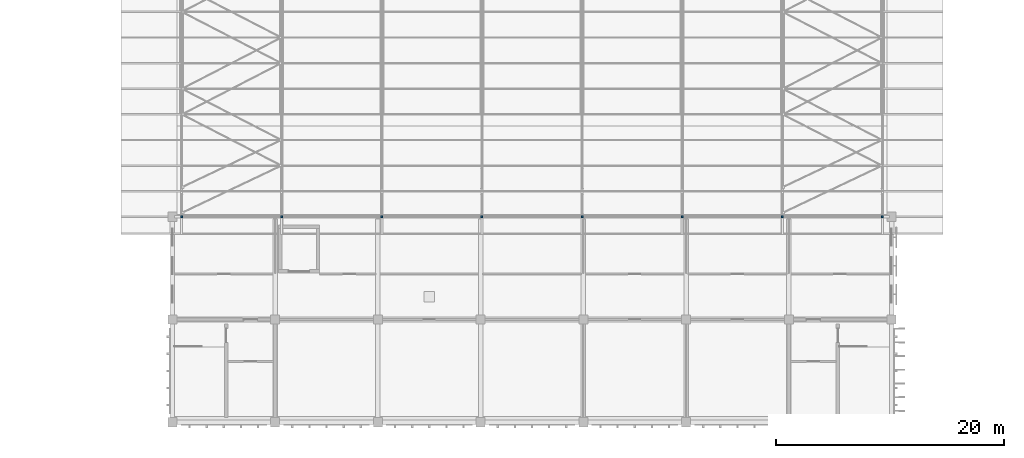
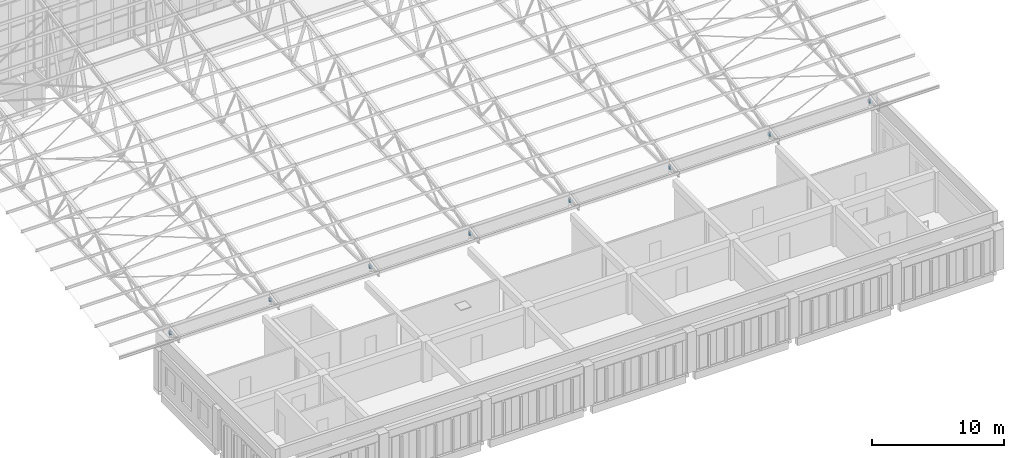
# One storey, part 129 of 185: 8 walls.
"""IFC4 building model written with IfcOpenShell, lengths in metres."""

from ifc_helpers import new_model, si_unit, direction, frame, frame_2d, origin, place, context, subcontext, project, spatial, rectangle, extrude, material, layer, layer_set, type_object, element, save


model = new_model("IFC4")

# Units and contexts
model_context = context("Model", 3, precision=1e-05, world=origin(), true_north=direction((0.0, 1.0)))
body_context = subcontext(model_context, "Body", "Model", "MODEL_VIEW")
ifc_project = project(units=[si_unit("LENGTHUNIT", "METRE"), si_unit("AREAUNIT", "SQUARE_METRE"), si_unit("VOLUMEUNIT", "CUBIC_METRE"), si_unit("PLANEANGLEUNIT", "RADIAN"), si_unit("MASSUNIT", "GRAM", prefix="KILO")], contexts=[model_context])

# Site, building, storey
site_placement = place(None, origin())
site = spatial("IfcSite", under=ifc_project, at=site_placement, CompositionType="ELEMENT")
building_placement = place(site_placement, origin())
building = spatial("IfcBuilding", under=site, at=building_placement, Name="Opaline Strait Convention Centre", CompositionType="ELEMENT")
storey_placement = place(building_placement, frame((0.0, 0.0, 6.0)))
storey = spatial("IfcBuildingStorey", under=building, at=storey_placement, Name="L01", CompositionType="ELEMENT", Elevation=6.0)

# Walls
ifc_material_1 = material(Name="Concrete C40 precast white", Category="concrete")
ifc_layer_1 = layer(ifc_material_1, 0.1201171875)
ifc_material_2 = material(Name="Mineral wool insulation")
ifc_layer_2 = layer(ifc_material_2, 0.050048828125)
ifc_material_3 = material(Name="Gypsum board lining")
ifc_layer_3 = layer(ifc_material_3, 0.030029296875)
ifc_layer_set = layer_set([ifc_layer_1, ifc_layer_2, ifc_layer_3], Name="Concrete C40 precast white, Mineral wool insulation, Gypsum board lining")
wall_type = type_object("IfcWallType", Name="Eaves closure panel 200", PredefinedType="STANDARD", material=ifc_layer_set)
for number, where, z_axis, x_axis, name in (
    (1, (288.71240234375, 27.0, 4.675048828125), (0.0, 0.0, 1.0), (1.0, 0.0, 0.0), "Ballroom south eaves closure joint 1"),
    (2, (297.48388671875, 27.0, 4.675048828125), (0.0, 0.0, 1.0), (1.0, 0.0, 0.0), "Ballroom south eaves closure joint 2"),
    (3, (306.25537109375, 27.0, 4.675048828125), (0.0, 0.0, 1.0), (1.0, 0.0, 0.0), "Ballroom south eaves closure joint 3"),
    (4, (315.02685546875, 27.0, 4.675048828125), (0.0, 0.0, 1.0), (1.0, 0.0, 0.0), "Ballroom south eaves closure joint 4"),
    (5, (323.798095703125, 27.0, 4.675048828125), (0.0, 0.0, 1.0), (1.0, 0.0, 0.0), "Ballroom south eaves closure joint 5"),
    (6, (332.569580078125, 27.0, 4.675048828125), (0.0, 0.0, 1.0), (1.0, 0.0, 0.0), "Ballroom south eaves closure joint 6"),
    (7, (341.341064453125, 27.0, 4.675048828125), (0.0, 0.0, 1.0), (1.0, 0.0, 0.0), "Ballroom south eaves closure joint 7"),
    (8, (350.112548828125, 27.0, 4.675048828125), (0.0, 0.0, 1.0), (1.0, 0.0, 0.0), "Ballroom south eaves closure joint 8"),
):
    element("IfcWall", number, at=place(storey_placement, frame(where, z_axis=z_axis, x_axis=x_axis)), inside=storey, type_object=wall_type, Name=name, PredefinedType="STANDARD", context=body_context, shape_type="SweptSolid", body=[
        extrude(rectangle(XDim=0.175048828125, YDim=0.199951171875, at=frame_2d((0.08740234375, 0.0))), origin(), (0.0, 0.0, 1.0), 0.32958984375),
    ])

save(model, "model.ifc")
